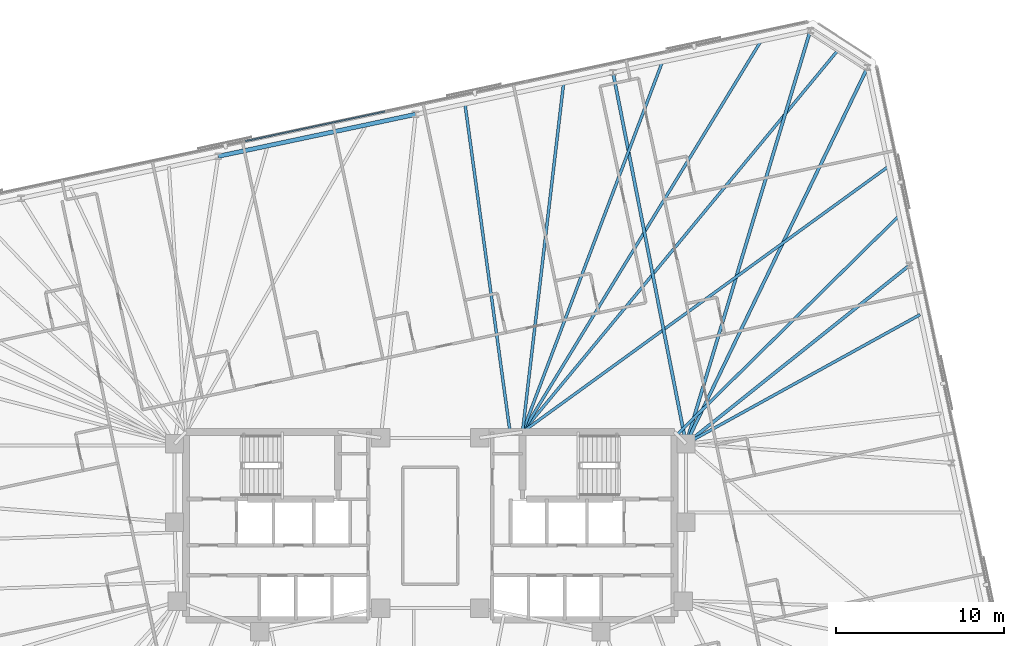
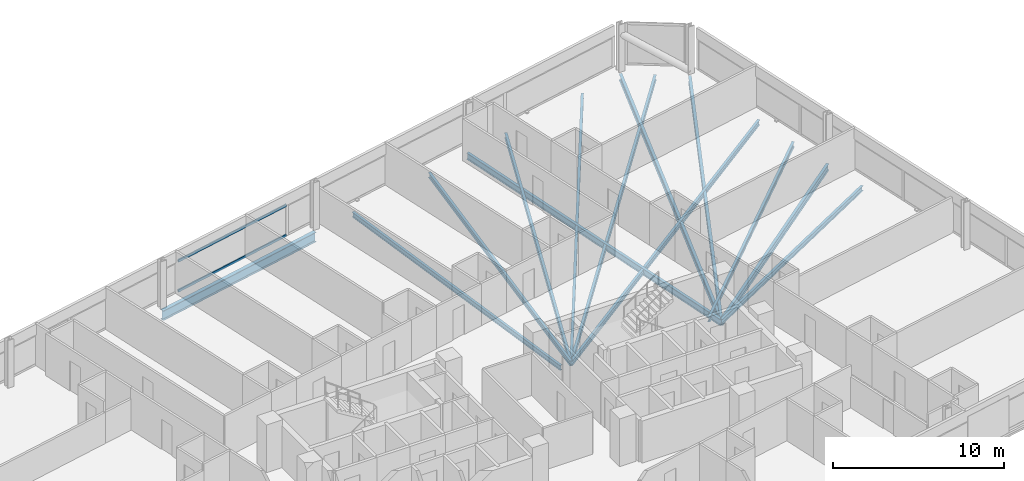
# One storey, part 10 of 20: 13 beams, 2 members, 1 element without a shape of its own.
"""IFC4 building model written with IfcOpenShell, lengths in metres."""

from ifc_helpers import new_model, si_unit, direction, frame, origin, origin_2d, place, context, subcontext, project, spatial, rectangle, i_section, extrude, material, material_profile, profile_set, type_object, element, aggregate, save


model = new_model("IFC4")

# Units and contexts
model_context = context("Model", 3, precision=1e-05, world=origin(), true_north=direction((0.0, 1.0)))
body_context = subcontext(model_context, "Body", "Model", "MODEL_VIEW")
ifc_project = project(units=[si_unit("LENGTHUNIT", "METRE"), si_unit("AREAUNIT", "SQUARE_METRE"), si_unit("VOLUMEUNIT", "CUBIC_METRE"), si_unit("PLANEANGLEUNIT", "RADIAN"), si_unit("MASSUNIT", "GRAM", prefix="KILO")], contexts=[model_context])

# Site, building, storey
site_placement = place(None, origin())
site = spatial("IfcSite", under=ifc_project, at=site_placement, CompositionType="ELEMENT")
building_placement = place(site_placement, origin())
building = spatial("IfcBuilding", under=site, at=building_placement, Name="Menara Jurai Vektor", CompositionType="ELEMENT")
storey_placement = place(building_placement, frame((0.0, 0.0, 199.0)))
storey = spatial("IfcBuildingStorey", under=building, at=storey_placement, Name="L52", CompositionType="ELEMENT", Elevation=199.0)

# Curtain wall, members
ifc_material_1 = material(Name="Anodised Pale Aluminium & Low-E Double Glazing", Category="aluminium")
curtain_wall_type = type_object("IfcCurtainWallType", Name="CW-BLK3", PredefinedType="NOTDEFINED", material=ifc_material_1)
curtain_wall_placement = place(storey_placement, origin())
curtain_wall = element("IfcCurtainWall", 1, at=curtain_wall_placement, inside=storey, type_object=curtain_wall_type, Name="Unitised Curtain Wall L52 F05", PredefinedType="NOTDEFINED")
ifc_material_2 = material(Name="Anodised Pale Aluminium Transom", Category="aluminium")
ifc_material_profile_1 = material_profile(ifc_material_2, rectangle(XDim=0.0849609375, YDim=0.175048828125, at=origin_2d()), Name="ALU TRN 85x175")
ifc_profile_set_1 = profile_set([ifc_material_profile_1], Name="Anodised Pale Aluminium Transom")
member_type = type_object("IfcMemberType", Name="CW-BLK3-TRN", PredefinedType="USERDEFINED", material=ifc_profile_set_1)
member_1_placement = place(storey_placement, frame((-2.716796875, 24.712890625, 0.04248046875), z_axis=(-0.978153589924, -0.207883511896, 0.0), x_axis=(0.207883511896, -0.978153589924, 0.0)))
member_1 = element("IfcMember", 2, at=member_1_placement, type_object=member_type, Name="CW-03 transom 4.1", ObjectType="TRANSOM", PredefinedType="USERDEFINED", context=body_context, shape_type="SweptSolid", body=[
    extrude(rectangle(XDim=0.0849609375, YDim=0.175048828125, at=origin_2d()), origin(), (0.0, 0.0, 1.0), 8.4921875),
])
member_2_placement = place(storey_placement, frame((-2.716796875, 24.712890625, 2.1826171875), z_axis=(-0.978153589924, -0.207883511896, 0.0), x_axis=(0.207883511896, -0.978153589924, 0.0)))
member_2 = element("IfcMember", 3, at=member_2_placement, type_object=member_type, Name="CW-03 transom 4.2", ObjectType="TRANSOM", PredefinedType="USERDEFINED", context=body_context, shape_type="SweptSolid", body=[
    extrude(rectangle(XDim=0.0849609375, YDim=0.175048828125, at=origin_2d()), origin(), (0.0, 0.0, 1.0), 8.4921875),
])
aggregate(curtain_wall, [member_1, member_2])

# Beams
ifc_material_3 = material(Name="Steel S355", Category="steel")
ifc_material_profile_2 = material_profile(ifc_material_3, i_section(OverallWidth=0.19091796875, OverallDepth=0.4599609375, WebThickness=0.010009765625, FlangeThickness=0.01611328125, FilletRadius=0.010009765625, at=origin_2d()), Name="UKB 457x191x82")
ifc_profile_set_2 = profile_set([ifc_material_profile_2], Name="Steel S355")
beam_type_1 = type_object("IfcBeamType", Name="STR-BM-457", PredefinedType="BEAM", material=ifc_profile_set_2)
beam_1_placement = place(storey_placement, frame((28.5771484375, 15.544921875, -0.455078125), z_axis=(-0.781346163898, -0.624097886683, 0.0), x_axis=(0.624097886683, -0.781346163898, 0.0)))
element("IfcBeam", 4, at=beam_1_placement, inside=storey, type_object=beam_type_1, Name="Radial Floor Girder L52-E3", PredefinedType="BEAM", context=body_context, shape_type="SweptSolid", body=[
    extrude(i_section(OverallWidth=0.19091796875, OverallDepth=0.4599609375, WebThickness=0.010009765625, FlangeThickness=0.01611328125, FilletRadius=0.010009765625, at=origin_2d()), origin(), (0.0, 0.0, 1.0), 17.056640625),
])
beam_2_placement = place(storey_placement, frame((26.0712890625, 27.33349609375, -0.455078125), z_axis=(-0.434465059539, -0.900688687639, 0.0), x_axis=(0.900688687639, -0.434465059539, 0.0)))
element("IfcBeam", 5, at=beam_2_placement, inside=storey, type_object=beam_type_1, Name="Radial Floor Girder L52-E4", PredefinedType="BEAM", context=body_context, shape_type="SweptSolid", body=[
    extrude(i_section(OverallWidth=0.19091796875, OverallDepth=0.4599609375, WebThickness=0.010009765625, FlangeThickness=0.01611328125, FilletRadius=0.010009765625, at=origin_2d()), origin(), (0.0, 0.0, 1.0), 24.9072265625),
])
beam_3_placement = place(storey_placement, frame((22.664794921875, 29.545654296875, -0.455078125), z_axis=(-0.288098843548, -0.957600676872, 0.0), x_axis=(0.957600676872, -0.288098843548, 0.0)))
element("IfcBeam", 6, at=beam_3_placement, inside=storey, type_object=beam_type_1, Name="Radial Floor Girder L52-N1", PredefinedType="BEAM", context=body_context, shape_type="SweptSolid", body=[
    extrude(i_section(OverallWidth=0.19091796875, OverallDepth=0.4599609375, WebThickness=0.010009765625, FlangeThickness=0.01611328125, FilletRadius=0.010009765625, at=origin_2d()), origin(), (0.0, 0.0, 1.0), 25.737060546875),
])
beam_4_placement = place(storey_placement, frame((10.896484375, 27.044189453125, -0.455078125), z_axis=(0.192905075816, -0.981217423268, 0.0), x_axis=(0.981217423268, 0.192905075816, 0.0)))
element("IfcBeam", 7, at=beam_4_placement, inside=storey, type_object=beam_type_1, Name="Radial Floor Girder L52-N2", PredefinedType="BEAM", context=body_context, shape_type="SweptSolid", body=[
    extrude(i_section(OverallWidth=0.19091796875, OverallDepth=0.4599609375, WebThickness=0.010009765625, FlangeThickness=0.01611328125, FilletRadius=0.010009765625, at=origin_2d()), origin(), (0.0, 0.0, 1.0), 22.568115234375),
])
ifc_material_profile_3 = material_profile(ifc_material_3, i_section(OverallWidth=0.172119140625, OverallDepth=0.35498046875, WebThickness=0.007080078125, FlangeThickness=0.011962890625, FilletRadius=0.010009765625, at=origin_2d()), Name="UKB 356x171x51")
ifc_profile_set_3 = profile_set([ifc_material_profile_3], Name="Steel S355")
beam_type_2 = type_object("IfcBeamType", Name="STR-JS-356", PredefinedType="JOIST", material=ifc_profile_set_3)
beam_5_placement = place(storey_placement, frame((29.20361328125, 12.597900390625, -0.402587890625), z_axis=(-0.875592207488, -0.483051018202, 0.0), x_axis=(0.483051018202, -0.875592207488, 0.0)))
element("IfcBeam", 8, at=beam_5_placement, inside=storey, type_object=beam_type_2, Name="Radial Secondary Floor Joist L52-JS14", PredefinedType="JOIST", context=body_context, shape_type="SweptSolid", body=[
    extrude(i_section(OverallWidth=0.172119140625, OverallDepth=0.35498046875, WebThickness=0.007080078125, FlangeThickness=0.011962890625, FilletRadius=0.010009765625, at=origin_2d()), origin(), (0.0, 0.0, 1.0), 15.936279296875),
])
beam_6_placement = place(storey_placement, frame((27.95068359375, 18.4921875, -0.402587890625), z_axis=(-0.712171791789, -0.702005227174, 0.0), x_axis=(0.702005227174, -0.712171791789, 0.0)))
element("IfcBeam", 9, at=beam_6_placement, inside=storey, type_object=beam_type_2, Name="Radial Secondary Floor Joist L52-JS15", PredefinedType="JOIST", context=body_context, shape_type="SweptSolid", body=[
    extrude(i_section(OverallWidth=0.172119140625, OverallDepth=0.35498046875, WebThickness=0.007080078125, FlangeThickness=0.011962890625, FilletRadius=0.010009765625, at=origin_2d()), origin(), (0.0, 0.0, 1.0), 18.5869140625),
])
beam_7_placement = place(storey_placement, frame((27.32421875, 21.439208984375, -0.402587890625), z_axis=(-0.809318640486, -0.587369847848, 0.0), x_axis=(0.587369847848, -0.809318640486, 0.0)))
element("IfcBeam", 10, at=beam_7_placement, inside=storey, type_object=beam_type_2, Name="Radial Secondary Floor Joist L52-JS16", PredefinedType="JOIST", context=body_context, shape_type="SweptSolid", body=[
    extrude(i_section(OverallWidth=0.172119140625, OverallDepth=0.35498046875, WebThickness=0.007080078125, FlangeThickness=0.011962890625, FilletRadius=0.010009765625, at=origin_2d()), origin(), (0.0, 0.0, 1.0), 26.966064453125),
])
beam_8_placement = place(storey_placement, frame((24.3681640625, 28.439697265625, -0.402587890625), z_axis=(-0.636894863934, -0.770950667873, 0.0), x_axis=(0.770950667873, -0.636894863934, 0.0)))
element("IfcBeam", 11, at=beam_8_placement, inside=storey, type_object=beam_type_2, Name="Radial Secondary Floor Joist L52-JS17", PredefinedType="JOIST", context=body_context, shape_type="SweptSolid", body=[
    extrude(i_section(OverallWidth=0.172119140625, OverallDepth=0.35498046875, WebThickness=0.007080078125, FlangeThickness=0.011962890625, FilletRadius=0.010009765625, at=origin_2d()), origin(), (0.0, 0.0, 1.0), 29.625244140625),
])
beam_9_placement = place(storey_placement, frame((19.72265625, 28.92041015625, -0.402587890625), z_axis=(-0.520686242997, -0.8537481106, 0.0), x_axis=(0.8537481106, -0.520686242997, 0.0)))
element("IfcBeam", 12, at=beam_9_placement, inside=storey, type_object=beam_type_2, Name="Radial Secondary Floor Joist L52-JS18", PredefinedType="JOIST", context=body_context, shape_type="SweptSolid", body=[
    extrude(i_section(OverallWidth=0.172119140625, OverallDepth=0.35498046875, WebThickness=0.007080078125, FlangeThickness=0.011962890625, FilletRadius=0.010009765625, at=origin_2d()), origin(), (0.0, 0.0, 1.0), 27.315185546875),
])
beam_10_placement = place(storey_placement, frame((13.838623046875, 27.669677734375, -0.402587890625), z_axis=(-0.353446048928, -0.935454910991, 0.0), x_axis=(0.935454910991, -0.353446048928, 0.0)))
element("IfcBeam", 13, at=beam_10_placement, inside=storey, type_object=beam_type_2, Name="Radial Secondary Floor Joist L52-JS19", PredefinedType="JOIST", context=body_context, shape_type="SweptSolid", body=[
    extrude(i_section(OverallWidth=0.172119140625, OverallDepth=0.35498046875, WebThickness=0.007080078125, FlangeThickness=0.011962890625, FilletRadius=0.010009765625, at=origin_2d()), origin(), (0.0, 0.0, 1.0), 23.59228515625),
])
beam_11_placement = place(storey_placement, frame((7.95458984375, 26.4189453125, -0.402587890625), z_axis=(-0.117091260338, -0.99312115915, 0.0), x_axis=(0.99312115915, -0.117091260338, 0.0)))
element("IfcBeam", 14, at=beam_11_placement, inside=storey, type_object=beam_type_2, Name="Radial Secondary Floor Joist L52-JS20", PredefinedType="JOIST", context=body_context, shape_type="SweptSolid", body=[
    extrude(i_section(OverallWidth=0.172119140625, OverallDepth=0.35498046875, WebThickness=0.007080078125, FlangeThickness=0.011962890625, FilletRadius=0.010009765625, at=origin_2d()), origin(), (0.0, 0.0, 1.0), 20.963134765625),
])
beam_12_placement = place(storey_placement, frame((2.0703125, 25.168212890625, -0.402587890625), z_axis=(0.135985700778, -0.990710799973, 0.0), x_axis=(0.990710799973, 0.135985700778, 0.0)))
element("IfcBeam", 15, at=beam_12_placement, inside=storey, type_object=beam_type_2, Name="Radial Secondary Floor Joist L52-JS21", PredefinedType="JOIST", context=body_context, shape_type="SweptSolid", body=[
    extrude(i_section(OverallWidth=0.172119140625, OverallDepth=0.35498046875, WebThickness=0.007080078125, FlangeThickness=0.011962890625, FilletRadius=0.010009765625, at=origin_2d()), origin(), (0.0, 0.0, 1.0), 19.852783203125),
])
ifc_material_4 = material(Name="Steel S460", Category="steel")
ifc_material_profile_4 = material_profile(ifc_material_4, i_section(OverallWidth=0.256103515625, OverallDepth=0.693115234375, WebThickness=0.013916015625, FlangeThickness=0.02392578125, FilletRadius=0.014892578125, at=origin_2d()), Name="UKB 686x254x170")
ifc_profile_set_4 = profile_set([ifc_material_profile_4], Name="Steel S460")
beam_type_3 = type_object("IfcBeamType", Name="STR-SP-686", PredefinedType="SPANDREL", material=ifc_profile_set_4)
beam_13_placement = place(storey_placement, frame((-0.87158203125, 24.54296875, -0.571533203125), z_axis=(-0.978147039247, -0.207914332389, 0.0), x_axis=(0.207914332389, -0.978147039247, 0.0)))
element("IfcBeam", 16, at=beam_13_placement, inside=storey, type_object=beam_type_3, Name="Exoskeleton Spandrel Beam L52-13", PredefinedType="SPANDREL", context=body_context, shape_type="SweptSolid", body=[
    extrude(i_section(OverallWidth=0.256103515625, OverallDepth=0.693115234375, WebThickness=0.013916015625, FlangeThickness=0.02392578125, FilletRadius=0.014892578125, at=origin_2d()), origin(), (0.0, 0.0, 1.0), 12.03125),
])

save(model, "model.ifc")
